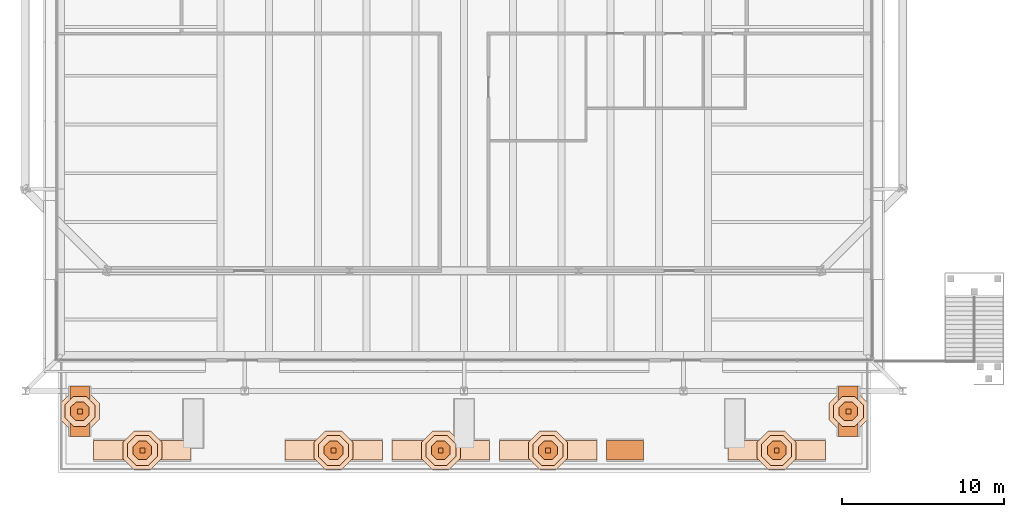
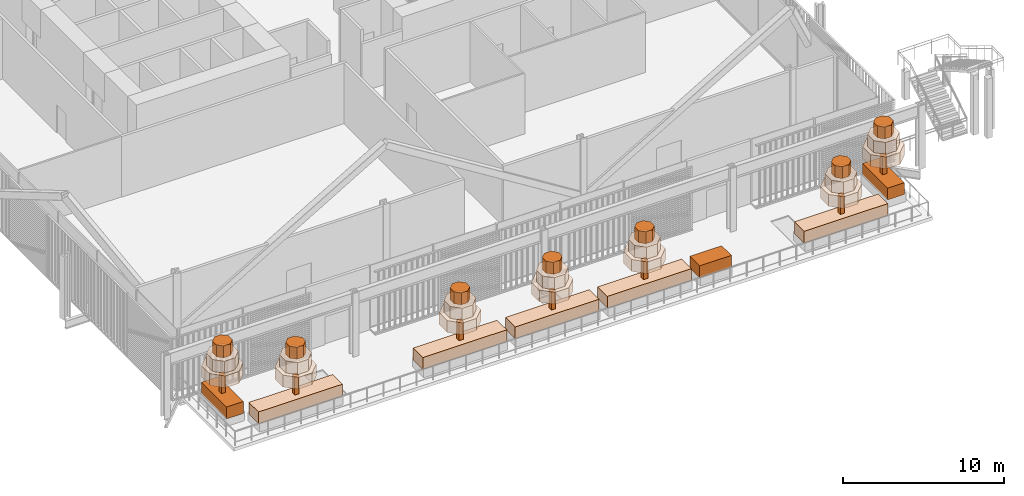
# One storey, part 26 of 26: 36 geographic elements.
"""IFC4 building model written with IfcOpenShell, lengths in metres."""

from ifc_helpers import new_model, si_unit, direction, frame, origin, origin_2d, place, context, subcontext, project, spatial, polyline, rectangle, outline, extrude, material, type_object, element, save


model = new_model("IFC4")

# Units and contexts
model_context = context("Model", 3, precision=1e-05, world=origin(), true_north=direction((0.0, 1.0)))
body_context = subcontext(model_context, "Body", "Model", "MODEL_VIEW")
ifc_project = project(units=[si_unit("LENGTHUNIT", "METRE"), si_unit("AREAUNIT", "SQUARE_METRE"), si_unit("VOLUMEUNIT", "CUBIC_METRE"), si_unit("PLANEANGLEUNIT", "RADIAN"), si_unit("MASSUNIT", "GRAM", prefix="KILO")], contexts=[model_context])

# Site, building, storey
site_placement = place(None, origin())
site = spatial("IfcSite", under=ifc_project, at=site_placement, CompositionType="ELEMENT")
building_placement = place(site_placement, origin())
building = spatial("IfcBuilding", under=site, at=building_placement, Name="Millrace Tower", CompositionType="ELEMENT")
storey_placement = place(building_placement, frame((0.0, 0.0, 11.300048828125)))
storey = spatial("IfcBuildingStorey", under=building, at=storey_placement, Name="L03", CompositionType="ELEMENT", Elevation=11.300048828125)

# Geographic elements
ifc_material_1 = material(Name="Planting shrub bed")
geographic_element_type_1 = type_object("IfcGeographicElementType", Name="Shrub bed", PredefinedType="USERDEFINED", material=ifc_material_1)
geographic_element_1_placement = place(storey_placement, frame((-23.64990234375, -35.64990234375, 0.570068359375), z_axis=(0.0, 0.0, 1.0), x_axis=(0.0, -1.0, 0.0)))
element("IfcGeographicElement", 1, at=geographic_element_1_placement, inside=storey, type_object=geographic_element_type_1, Name="Shrub bed CT-L02-1-1-0-0", ObjectType="SHRUB", PredefinedType="USERDEFINED", context=body_context, shape_type="SweptSolid", body=[
    extrude(rectangle(XDim=3.10009765625, YDim=1.199951171875, at=origin_2d()), origin(), (0.0, 0.0, 1.0), 0.89990234375),
])
for number, where, z_axis, x_axis, name in (
    (2, (-19.800048828125, -38.050048828125, 0.570068359375), (0.0, 0.0, 1.0), (1.0, 0.0, 0.0), "Shrub bed CT-L02-1-1-1-0"),
    (3, (-8.036376953125, -38.050048828125, 0.570068359375), (0.0, 0.0, 1.0), (1.0, 0.0, 0.0), "Shrub bed CT-L02-1-1-1-1"),
    (4, (-1.436279296875, -38.050048828125, 0.570068359375), (0.0, 0.0, 1.0), (1.0, 0.0, 0.0), "Shrub bed CT-L02-1-1-1-2"),
    (5, (5.16357421875, -38.050048828125, 0.570068359375), (0.0, 0.0, 1.0), (1.0, 0.0, 0.0), "Shrub bed CT-L02-1-1-1-3"),
):
    element("IfcGeographicElement", number, at=place(storey_placement, frame(where, z_axis=z_axis, x_axis=x_axis)), inside=storey, type_object=geographic_element_type_1, Name=name, ObjectType="SHRUB", PredefinedType="USERDEFINED", context=body_context, shape_type="SweptSolid", body=[
        extrude(rectangle(XDim=6.0, YDim=1.199951171875, at=origin_2d()), origin(), (0.0, 0.0, 1.0), 0.89990234375),
    ])
geographic_element_2_placement = place(storey_placement, frame((9.89990234375, -38.050048828125, 0.570068359375), z_axis=(0.0, 0.0, 1.0), x_axis=(1.0, 0.0, 0.0)))
element("IfcGeographicElement", 6, at=geographic_element_2_placement, inside=storey, type_object=geographic_element_type_1, Name="Shrub bed CT-L02-1-1-1-4", ObjectType="SHRUB", PredefinedType="USERDEFINED", context=body_context, shape_type="SweptSolid", body=[
    extrude(rectangle(XDim=2.272705078125, YDim=1.199951171875, at=origin_2d()), origin(), (0.0, 0.0, 1.0), 0.89990234375),
])
geographic_element_3_placement = place(storey_placement, frame((19.236328125, -38.050048828125, 0.570068359375), z_axis=(0.0, 0.0, 1.0), x_axis=(1.0, 0.0, 0.0)))
element("IfcGeographicElement", 7, at=geographic_element_3_placement, inside=storey, type_object=geographic_element_type_1, Name="Shrub bed CT-L02-1-1-1-5", ObjectType="SHRUB", PredefinedType="USERDEFINED", context=body_context, shape_type="SweptSolid", body=[
    extrude(rectangle(XDim=6.0, YDim=1.199951171875, at=origin_2d()), origin(), (0.0, 0.0, 1.0), 0.89990234375),
])
geographic_element_4_placement = place(storey_placement, frame((23.64990234375, -35.64990234375, 0.570068359375), z_axis=(0.0, 0.0, 1.0), x_axis=(0.0, 1.0, 0.0)))
element("IfcGeographicElement", 8, at=geographic_element_4_placement, inside=storey, type_object=geographic_element_type_1, Name="Shrub bed CT-L02-1-1-2-0", ObjectType="SHRUB", PredefinedType="USERDEFINED", context=body_context, shape_type="SweptSolid", body=[
    extrude(rectangle(XDim=3.10009765625, YDim=1.199951171875, at=origin_2d()), origin(), (0.0, 0.0, 1.0), 0.89990234375),
])
ifc_material_2 = material(Name="Planting tree crown")
geographic_element_type_2 = type_object("IfcGeographicElementType", Name="Tree crown", PredefinedType="USERDEFINED", material=ifc_material_2)
placement_1 = place(storey_placement, frame((0.0, 0.0, 2.669921875)))
element("IfcGeographicElement", 9, at=placement_1, inside=storey, type_object=geographic_element_type_2, Name="Tree crown CT-L02-1-1-0-0 tier 1", ObjectType="TREE", PredefinedType="USERDEFINED", context=body_context, shape_type="SweptSolid", body=[
    extrude(outline(polyline([(-22.448974609375, -35.152587890625), (-23.152587890625, -34.448974609375), (-24.1474609375, -34.448974609375), (-24.85107421875, -35.152587890625), (-24.85107421875, -36.1474609375), (-24.1474609375, -36.85107421875), (-23.152587890625, -36.85107421875), (-22.448974609375, -36.1474609375), (-22.448974609375, -35.152587890625)])), origin(), (0.0, 0.0, 1.0), 0.900146484375),
])
placement_2 = place(storey_placement, frame((0.0, 0.0, 3.570068359375)))
element("IfcGeographicElement", 10, at=placement_2, inside=storey, type_object=geographic_element_type_2, Name="Tree crown CT-L02-1-1-0-0 tier 2", ObjectType="TREE", PredefinedType="USERDEFINED", context=body_context, shape_type="SweptSolid", body=[
    extrude(outline(polyline([(-22.72607421875, -35.267333984375), (-23.267333984375, -34.72607421875), (-24.03271484375, -34.72607421875), (-24.573974609375, -35.267333984375), (-24.573974609375, -36.03271484375), (-24.03271484375, -36.573974609375), (-23.267333984375, -36.573974609375), (-22.72607421875, -36.03271484375), (-22.72607421875, -35.267333984375)])), origin(), (0.0, 0.0, 1.0), 0.89990234375),
])
placement_3 = place(storey_placement, frame((0.0, 0.0, 4.469970703125)))
element("IfcGeographicElement", 11, at=placement_3, inside=storey, type_object=geographic_element_type_2, Name="Tree crown CT-L02-1-1-0-0 tier 3", ObjectType="TREE", PredefinedType="USERDEFINED", context=body_context, shape_type="SweptSolid", body=[
    extrude(outline(polyline([(-23.0771484375, -35.41259765625), (-23.41259765625, -35.0771484375), (-23.88720703125, -35.0771484375), (-24.222900390625, -35.41259765625), (-24.222900390625, -35.88720703125), (-23.88720703125, -36.222900390625), (-23.41259765625, -36.222900390625), (-23.0771484375, -35.88720703125), (-23.0771484375, -35.41259765625)])), origin(), (0.0, 0.0, 1.0), 0.89990234375),
])
element("IfcGeographicElement", 12, at=placement_1, inside=storey, type_object=geographic_element_type_2, Name="Tree crown CT-L02-1-1-1-0 tier 1", ObjectType="TREE", PredefinedType="USERDEFINED", context=body_context, shape_type="SweptSolid", body=[
    extrude(outline(polyline([(-18.59912109375, -37.552490234375), (-19.302490234375, -36.84912109375), (-20.297607421875, -36.84912109375), (-21.0009765625, -37.552490234375), (-21.0009765625, -38.547607421875), (-20.297607421875, -39.2509765625), (-19.302490234375, -39.2509765625), (-18.59912109375, -38.547607421875), (-18.59912109375, -37.552490234375)])), origin(), (0.0, 0.0, 1.0), 0.900146484375),
])
element("IfcGeographicElement", 13, at=placement_2, inside=storey, type_object=geographic_element_type_2, Name="Tree crown CT-L02-1-1-1-0 tier 2", ObjectType="TREE", PredefinedType="USERDEFINED", context=body_context, shape_type="SweptSolid", body=[
    extrude(outline(polyline([(-18.876220703125, -37.667236328125), (-19.417236328125, -37.126220703125), (-20.1826171875, -37.126220703125), (-20.723876953125, -37.667236328125), (-20.723876953125, -38.4326171875), (-20.1826171875, -38.973876953125), (-19.417236328125, -38.973876953125), (-18.876220703125, -38.4326171875), (-18.876220703125, -37.667236328125)])), origin(), (0.0, 0.0, 1.0), 0.89990234375),
])
element("IfcGeographicElement", 14, at=placement_3, inside=storey, type_object=geographic_element_type_2, Name="Tree crown CT-L02-1-1-1-0 tier 3", ObjectType="TREE", PredefinedType="USERDEFINED", context=body_context, shape_type="SweptSolid", body=[
    extrude(outline(polyline([(-19.227294921875, -37.812744140625), (-19.562744140625, -37.477294921875), (-20.037353515625, -37.477294921875), (-20.372802734375, -37.812744140625), (-20.372802734375, -38.287353515625), (-20.037353515625, -38.622802734375), (-19.562744140625, -38.622802734375), (-19.227294921875, -38.287353515625), (-19.227294921875, -37.812744140625)])), origin(), (0.0, 0.0, 1.0), 0.89990234375),
])
element("IfcGeographicElement", 15, at=placement_1, inside=storey, type_object=geographic_element_type_2, Name="Tree crown CT-L02-1-1-1-1 tier 1", ObjectType="TREE", PredefinedType="USERDEFINED", context=body_context, shape_type="SweptSolid", body=[
    extrude(outline(polyline([(-6.835205078125, -37.552490234375), (-7.538818359375, -36.84912109375), (-8.533935546875, -36.84912109375), (-9.2373046875, -37.552490234375), (-9.2373046875, -38.547607421875), (-8.533935546875, -39.2509765625), (-7.538818359375, -39.2509765625), (-6.835205078125, -38.547607421875), (-6.835205078125, -37.552490234375)])), origin(), (0.0, 0.0, 1.0), 0.900146484375),
])
element("IfcGeographicElement", 16, at=placement_2, inside=storey, type_object=geographic_element_type_2, Name="Tree crown CT-L02-1-1-1-1 tier 2", ObjectType="TREE", PredefinedType="USERDEFINED", context=body_context, shape_type="SweptSolid", body=[
    extrude(outline(polyline([(-7.112548828125, -37.667236328125), (-7.65380859375, -37.126220703125), (-8.4189453125, -37.126220703125), (-8.960205078125, -37.667236328125), (-8.960205078125, -38.4326171875), (-8.4189453125, -38.973876953125), (-7.65380859375, -38.973876953125), (-7.112548828125, -38.4326171875), (-7.112548828125, -37.667236328125)])), origin(), (0.0, 0.0, 1.0), 0.89990234375),
])
element("IfcGeographicElement", 17, at=placement_3, inside=storey, type_object=geographic_element_type_2, Name="Tree crown CT-L02-1-1-1-1 tier 3", ObjectType="TREE", PredefinedType="USERDEFINED", context=body_context, shape_type="SweptSolid", body=[
    extrude(outline(polyline([(-7.463623046875, -37.812744140625), (-7.799072265625, -37.477294921875), (-8.273681640625, -37.477294921875), (-8.609130859375, -37.812744140625), (-8.609130859375, -38.287353515625), (-8.273681640625, -38.622802734375), (-7.799072265625, -38.622802734375), (-7.463623046875, -38.287353515625), (-7.463623046875, -37.812744140625)])), origin(), (0.0, 0.0, 1.0), 0.89990234375),
])
element("IfcGeographicElement", 18, at=placement_1, inside=storey, type_object=geographic_element_type_2, Name="Tree crown CT-L02-1-1-1-2 tier 1", ObjectType="TREE", PredefinedType="USERDEFINED", context=body_context, shape_type="SweptSolid", body=[
    extrude(outline(polyline([(-0.2353515625, -37.552490234375), (-0.93896484375, -36.84912109375), (-1.933837890625, -36.84912109375), (-2.637451171875, -37.552490234375), (-2.637451171875, -38.547607421875), (-1.933837890625, -39.2509765625), (-0.93896484375, -39.2509765625), (-0.2353515625, -38.547607421875), (-0.2353515625, -37.552490234375)])), origin(), (0.0, 0.0, 1.0), 0.900146484375),
])
element("IfcGeographicElement", 19, at=placement_2, inside=storey, type_object=geographic_element_type_2, Name="Tree crown CT-L02-1-1-1-2 tier 2", ObjectType="TREE", PredefinedType="USERDEFINED", context=body_context, shape_type="SweptSolid", body=[
    extrude(outline(polyline([(-0.512451171875, -37.667236328125), (-1.0537109375, -37.126220703125), (-1.819091796875, -37.126220703125), (-2.360107421875, -37.667236328125), (-2.360107421875, -38.4326171875), (-1.819091796875, -38.973876953125), (-1.0537109375, -38.973876953125), (-0.512451171875, -38.4326171875), (-0.512451171875, -37.667236328125)])), origin(), (0.0, 0.0, 1.0), 0.89990234375),
])
element("IfcGeographicElement", 20, at=placement_3, inside=storey, type_object=geographic_element_type_2, Name="Tree crown CT-L02-1-1-1-2 tier 3", ObjectType="TREE", PredefinedType="USERDEFINED", context=body_context, shape_type="SweptSolid", body=[
    extrude(outline(polyline([(-0.863525390625, -37.812744140625), (-1.19921875, -37.477294921875), (-1.673583984375, -37.477294921875), (-2.00927734375, -37.812744140625), (-2.00927734375, -38.287353515625), (-1.673583984375, -38.622802734375), (-1.19921875, -38.622802734375), (-0.863525390625, -38.287353515625), (-0.863525390625, -37.812744140625)])), origin(), (0.0, 0.0, 1.0), 0.89990234375),
])
element("IfcGeographicElement", 21, at=placement_1, inside=storey, type_object=geographic_element_type_2, Name="Tree crown CT-L02-1-1-1-3 tier 1", ObjectType="TREE", PredefinedType="USERDEFINED", context=body_context, shape_type="SweptSolid", body=[
    extrude(outline(polyline([(6.36474609375, -37.552490234375), (5.6611328125, -36.84912109375), (4.666015625, -36.84912109375), (3.962646484375, -37.552490234375), (3.962646484375, -38.547607421875), (4.666015625, -39.2509765625), (5.6611328125, -39.2509765625), (6.36474609375, -38.547607421875), (6.36474609375, -37.552490234375)])), origin(), (0.0, 0.0, 1.0), 0.900146484375),
])
element("IfcGeographicElement", 22, at=placement_2, inside=storey, type_object=geographic_element_type_2, Name="Tree crown CT-L02-1-1-1-3 tier 2", ObjectType="TREE", PredefinedType="USERDEFINED", context=body_context, shape_type="SweptSolid", body=[
    extrude(outline(polyline([(6.08740234375, -37.667236328125), (5.54638671875, -37.126220703125), (4.781005859375, -37.126220703125), (4.23974609375, -37.667236328125), (4.23974609375, -38.4326171875), (4.781005859375, -38.973876953125), (5.54638671875, -38.973876953125), (6.08740234375, -38.4326171875), (6.08740234375, -37.667236328125)])), origin(), (0.0, 0.0, 1.0), 0.89990234375),
])
element("IfcGeographicElement", 23, at=placement_3, inside=storey, type_object=geographic_element_type_2, Name="Tree crown CT-L02-1-1-1-3 tier 3", ObjectType="TREE", PredefinedType="USERDEFINED", context=body_context, shape_type="SweptSolid", body=[
    extrude(outline(polyline([(5.736328125, -37.812744140625), (5.40087890625, -37.477294921875), (4.926513671875, -37.477294921875), (4.5908203125, -37.812744140625), (4.5908203125, -38.287353515625), (4.926513671875, -38.622802734375), (5.40087890625, -38.622802734375), (5.736328125, -38.287353515625), (5.736328125, -37.812744140625)])), origin(), (0.0, 0.0, 1.0), 0.89990234375),
])
element("IfcGeographicElement", 24, at=placement_1, inside=storey, type_object=geographic_element_type_2, Name="Tree crown CT-L02-1-1-1-5 tier 1", ObjectType="TREE", PredefinedType="USERDEFINED", context=body_context, shape_type="SweptSolid", body=[
    extrude(outline(polyline([(20.4375, -37.552490234375), (19.73388671875, -36.84912109375), (18.739013671875, -36.84912109375), (18.035400390625, -37.552490234375), (18.035400390625, -38.547607421875), (18.739013671875, -39.2509765625), (19.73388671875, -39.2509765625), (20.4375, -38.547607421875), (20.4375, -37.552490234375)])), origin(), (0.0, 0.0, 1.0), 0.900146484375),
])
element("IfcGeographicElement", 25, at=placement_2, inside=storey, type_object=geographic_element_type_2, Name="Tree crown CT-L02-1-1-1-5 tier 2", ObjectType="TREE", PredefinedType="USERDEFINED", context=body_context, shape_type="SweptSolid", body=[
    extrude(outline(polyline([(20.16015625, -37.667236328125), (19.618896484375, -37.126220703125), (18.853759765625, -37.126220703125), (18.3125, -37.667236328125), (18.3125, -38.4326171875), (18.853759765625, -38.973876953125), (19.618896484375, -38.973876953125), (20.16015625, -38.4326171875), (20.16015625, -37.667236328125)])), origin(), (0.0, 0.0, 1.0), 0.89990234375),
])
element("IfcGeographicElement", 26, at=placement_3, inside=storey, type_object=geographic_element_type_2, Name="Tree crown CT-L02-1-1-1-5 tier 3", ObjectType="TREE", PredefinedType="USERDEFINED", context=body_context, shape_type="SweptSolid", body=[
    extrude(outline(polyline([(19.80908203125, -37.812744140625), (19.4736328125, -37.477294921875), (18.9990234375, -37.477294921875), (18.66357421875, -37.812744140625), (18.66357421875, -38.287353515625), (18.9990234375, -38.622802734375), (19.4736328125, -38.622802734375), (19.80908203125, -38.287353515625), (19.80908203125, -37.812744140625)])), origin(), (0.0, 0.0, 1.0), 0.89990234375),
])
element("IfcGeographicElement", 27, at=placement_1, inside=storey, type_object=geographic_element_type_2, Name="Tree crown CT-L02-1-1-2-0 tier 1", ObjectType="TREE", PredefinedType="USERDEFINED", context=body_context, shape_type="SweptSolid", body=[
    extrude(outline(polyline([(24.85107421875, -35.152587890625), (24.1474609375, -34.448974609375), (23.152587890625, -34.448974609375), (22.448974609375, -35.152587890625), (22.448974609375, -36.1474609375), (23.152587890625, -36.85107421875), (24.1474609375, -36.85107421875), (24.85107421875, -36.1474609375), (24.85107421875, -35.152587890625)])), origin(), (0.0, 0.0, 1.0), 0.900146484375),
])
element("IfcGeographicElement", 28, at=placement_2, inside=storey, type_object=geographic_element_type_2, Name="Tree crown CT-L02-1-1-2-0 tier 2", ObjectType="TREE", PredefinedType="USERDEFINED", context=body_context, shape_type="SweptSolid", body=[
    extrude(outline(polyline([(24.573974609375, -35.267333984375), (24.03271484375, -34.72607421875), (23.267333984375, -34.72607421875), (22.72607421875, -35.267333984375), (22.72607421875, -36.03271484375), (23.267333984375, -36.573974609375), (24.03271484375, -36.573974609375), (24.573974609375, -36.03271484375), (24.573974609375, -35.267333984375)])), origin(), (0.0, 0.0, 1.0), 0.89990234375),
])
element("IfcGeographicElement", 29, at=placement_3, inside=storey, type_object=geographic_element_type_2, Name="Tree crown CT-L02-1-1-2-0 tier 3", ObjectType="TREE", PredefinedType="USERDEFINED", context=body_context, shape_type="SweptSolid", body=[
    extrude(outline(polyline([(24.222900390625, -35.41259765625), (23.88720703125, -35.0771484375), (23.41259765625, -35.0771484375), (23.0771484375, -35.41259765625), (23.0771484375, -35.88720703125), (23.41259765625, -36.222900390625), (23.88720703125, -36.222900390625), (24.222900390625, -35.88720703125), (24.222900390625, -35.41259765625)])), origin(), (0.0, 0.0, 1.0), 0.89990234375),
])
ifc_material_3 = material(Name="Timber trunk", Category="wood")
geographic_element_type_3 = type_object("IfcGeographicElementType", Name="Tree trunk", PredefinedType="USERDEFINED", material=ifc_material_3)
for number, where, z_axis, x_axis, name in (
    (30, (-23.64990234375, -35.64990234375, 0.669921875), (0.0, 0.0, 1.0), (1.0, 0.0, 0.0), "Tree trunk CT-L02-1-1-0-0"),
    (31, (-19.800048828125, -38.050048828125, 0.669921875), (0.0, 0.0, 1.0), (1.0, 0.0, 0.0), "Tree trunk CT-L02-1-1-1-0"),
    (32, (-8.036376953125, -38.050048828125, 0.669921875), (0.0, 0.0, 1.0), (1.0, 0.0, 0.0), "Tree trunk CT-L02-1-1-1-1"),
    (33, (-1.436279296875, -38.050048828125, 0.669921875), (0.0, 0.0, 1.0), (1.0, 0.0, 0.0), "Tree trunk CT-L02-1-1-1-2"),
    (34, (5.16357421875, -38.050048828125, 0.669921875), (0.0, 0.0, 1.0), (1.0, 0.0, 0.0), "Tree trunk CT-L02-1-1-1-3"),
    (35, (19.236328125, -38.050048828125, 0.669921875), (0.0, 0.0, 1.0), (1.0, 0.0, 0.0), "Tree trunk CT-L02-1-1-1-5"),
    (36, (23.64990234375, -35.64990234375, 0.669921875), (0.0, 0.0, 1.0), (1.0, 0.0, 0.0), "Tree trunk CT-L02-1-1-2-0"),
):
    element("IfcGeographicElement", number, at=place(storey_placement, frame(where, z_axis=z_axis, x_axis=x_axis)), inside=storey, type_object=geographic_element_type_3, Name=name, ObjectType="TREE", PredefinedType="USERDEFINED", context=body_context, shape_type="SweptSolid", body=[
        extrude(rectangle(XDim=0.300048828125, YDim=0.300048828125, at=origin_2d()), origin(), (0.0, 0.0, 1.0), 2.199951171875),
    ])

save(model, "model.ifc")
